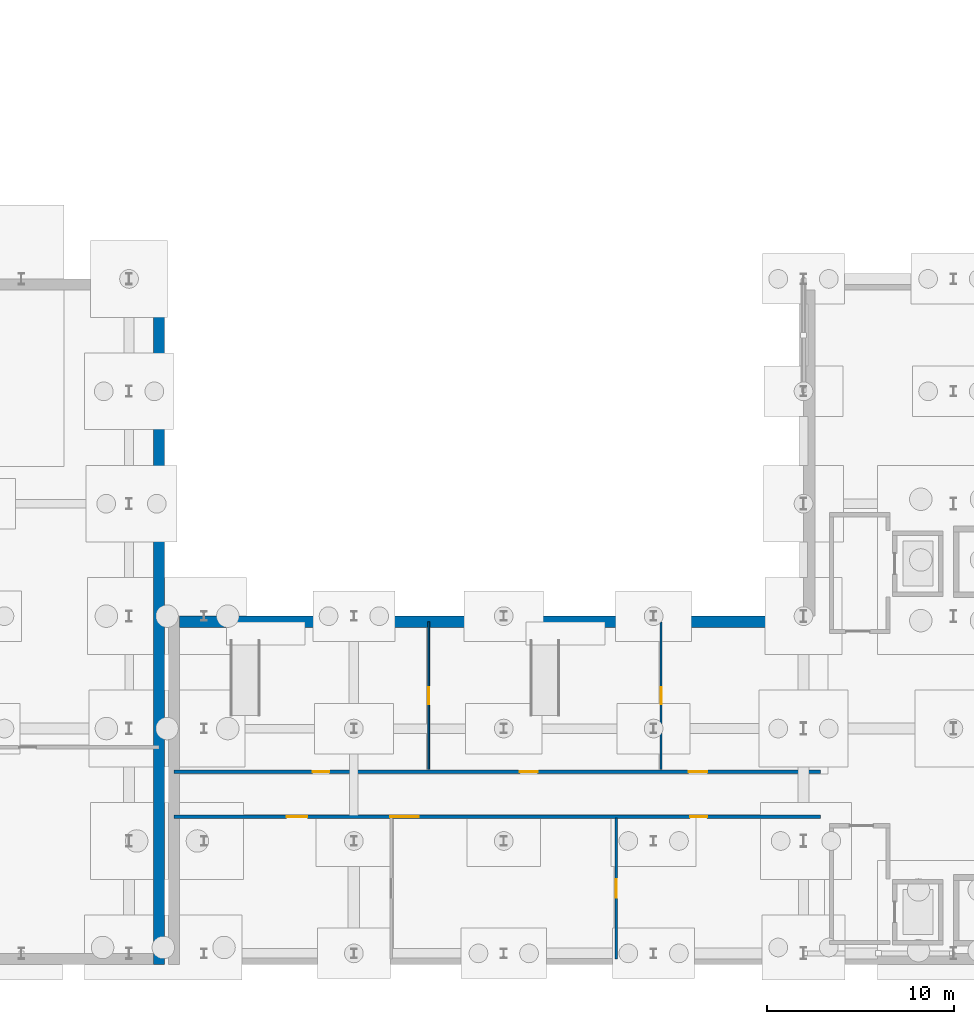
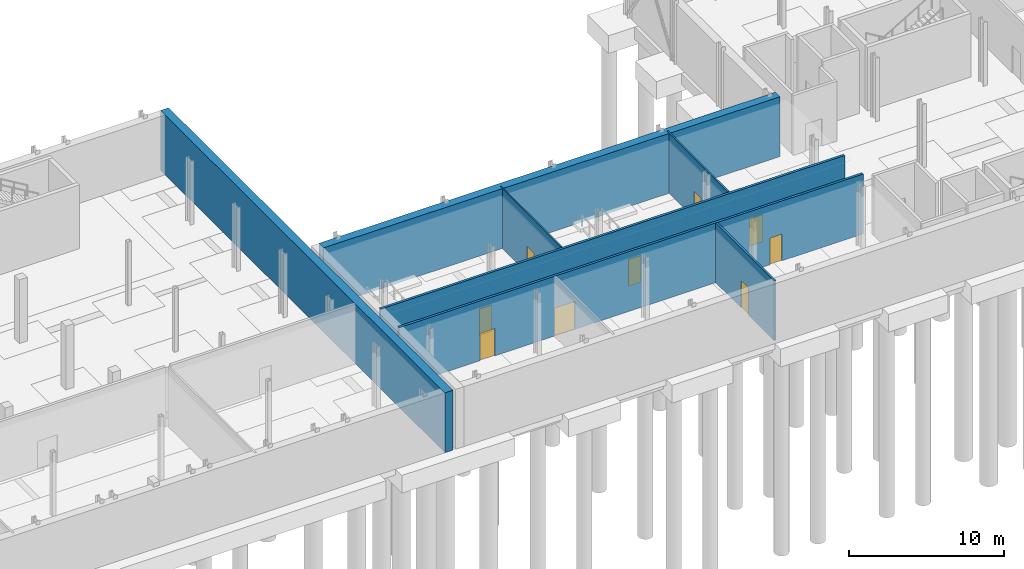
# One storey, part 26 of 47: 9 doors, 7 walls, 9 openings.
"""IFC4 building model written with IfcOpenShell, lengths in metres."""

from ifc_helpers import new_model, si_unit, direction, frame, frame_2d, origin, place, context, subcontext, project, spatial, rectangle, extrude, material, layer, layer_set, type_object, element, fill, save


model = new_model("IFC4")

# Units and contexts
model_context = context("Model", 3, precision=1e-05, world=origin(), true_north=direction((0.0, 1.0)))
body_context = subcontext(model_context, "Body", "Model", "MODEL_VIEW")
ifc_project = project(units=[si_unit("LENGTHUNIT", "METRE"), si_unit("AREAUNIT", "SQUARE_METRE"), si_unit("VOLUMEUNIT", "CUBIC_METRE"), si_unit("PLANEANGLEUNIT", "RADIAN"), si_unit("MASSUNIT", "GRAM", prefix="KILO")], contexts=[model_context])

# Site, building, storey
site_placement = place(None, origin())
site = spatial("IfcSite", under=ifc_project, at=site_placement, CompositionType="ELEMENT")
building_placement = place(site_placement, origin())
building = spatial("IfcBuilding", under=site, at=building_placement, Name="Cymarion Research Institute", CompositionType="ELEMENT")
storey_placement = place(building_placement, frame((0.0, 0.0, -5.0)))
storey = spatial("IfcBuildingStorey", under=building, at=storey_placement, Name="B1", CompositionType="ELEMENT", Elevation=-5.0)

# Walls
ifc_material_1 = material(Name="Concrete C35/45", Category="concrete")
ifc_layer_1 = layer(ifc_material_1, 0.60009765625)
ifc_layer_set_1 = layer_set([ifc_layer_1], Name="Concrete C35/45")
wall_type_1 = type_object("IfcWallType", Name="EXTERIOR WALL EW-RET600 600MM", PredefinedType="SHEAR", material=ifc_layer_set_1)
wall_1_placement = place(storey_placement, frame((139.181884765625, 23.199951171875, 0.0), z_axis=(0.0, 0.0, 1.0), x_axis=(-1.0, 0.0, 0.0)))
element("IfcWall", 1, at=wall_1_placement, inside=storey, type_object=wall_type_1, Name="B1 V1 exterior wall EW-RET600 #16", PredefinedType="SHEAR", context=body_context, shape_type="SweptSolid", body=[
    extrude(rectangle(XDim=33.89990234375, YDim=0.60009765625, at=frame_2d((16.949951171875, 0.0))), origin(), (0.0, 0.0, 1.0), 4.699951171875),
])
wall_2_placement = place(storey_placement, frame((104.199951171875, 4.89990234375, 0.0), z_axis=(0.0, 0.0, 1.0), x_axis=(0.0, 1.0, 0.0)))
element("IfcWall", 2, at=wall_2_placement, inside=storey, type_object=wall_type_1, Name="B1 V2 exterior wall EW-RET600 #19", PredefinedType="SHEAR", context=body_context, shape_type="SweptSolid", body=[
    extrude(rectangle(XDim=36.60009765625, YDim=0.60009765625, at=frame_2d((18.300048828125, 0.0))), origin(), (0.0, 0.0, 1.0), 4.699951171875),
])

# Wall, opening, door
ifc_material_2 = material(Name="Gypsum acoustic double-stud partition", Category="gypsum")
ifc_layer_2 = layer(ifc_material_2, 0.14990234375)
ifc_layer_set_2 = layer_set([ifc_layer_2], Name="Gypsum acoustic double-stud partition")
wall_type_2 = type_object("IfcWallType", Name="INTERIOR PARTITION IW-AC150 150MM", PredefinedType="PARTITIONING", material=ifc_layer_set_2)
wall_3_placement = place(storey_placement, frame((128.60009765625, 5.205078125, 0.0), z_axis=(0.0, 0.0, 1.0), x_axis=(0.0, 1.0, 0.0)))
wall_3 = element("IfcWall", 3, at=wall_3_placement, inside=storey, type_object=wall_type_2, Name="B1 V1 interior partition IW-AC150 #4", PredefinedType="PARTITIONING", context=body_context, shape_type="SweptSolid", body=[
    extrude(rectangle(XDim=7.514892578125, YDim=0.14990234375, at=frame_2d((3.75732421875, 0.0))), origin(), (0.0, 0.0, 1.0), 4.699951171875),
])
opening_1_placement = place(wall_3_placement, frame((3.258056640625, 0.0, 0.0)))
opening_1 = element("IfcOpeningElement", 4, at=opening_1_placement, cuts=wall_3, Name="Opening D-B1-008", PredefinedType="OPENING", context=body_context, shape_type="SweptSolid", body=[
    extrude(rectangle(XDim=1.0, YDim=2.14990234375, at=frame_2d((0.5, 1.074951171875))), frame((0.0, 0.0849609375, 0.0), z_axis=(0.0, -1.0, 0.0), x_axis=(1.0, 0.0, 0.0)), (0.0, 0.0, 1.0), 0.169921875),
])
ifc_material_3 = material(Name="Flush acoustic timber/steel door assembly", Category="steel")
door_type_1 = type_object("IfcDoorType", Name="LABORATORY SINGLE LEAF DOOR DT-LB100 1000X2150", OperationType="NOTDEFINED", PredefinedType="DOOR", material=ifc_material_3)
door_1_placement = place(opening_1_placement, origin())
door_1 = element("IfcDoor", 5, at=door_1_placement, inside=storey, type_object=door_type_1, Name="B1 Inter-lab door D-B1-008", OperationType="SINGLE_SWING_LEFT", OverallHeight=2.14990234375, OverallWidth=1.0, PredefinedType="DOOR", context=body_context, shape_type="SweptSolid", body=[
    extrude(rectangle(XDim=1.0, YDim=2.14990234375, at=frame_2d((0.5, 1.074951171875))), frame((0.0, 0.02490234375, 0.0), z_axis=(0.0, -1.0, 0.0), x_axis=(1.0, 0.0, 0.0)), (0.0, 0.0, 1.0), 0.050048828125),
])
fill(opening_1, door_1)

ifc_material_4 = material(Name="Framed acoustic glass laboratory screen", Category="glass")
ifc_layer_3 = layer(ifc_material_4, 0.10009765625)
ifc_layer_set_3 = layer_set([ifc_layer_3], Name="Framed acoustic glass laboratory screen")
wall_type_3 = type_object("IfcWallType", Name="INTERIOR PARTITION IW-GL100 100MM", PredefinedType="PARTITIONING", material=ifc_layer_set_3)
wall_4_placement = place(storey_placement, frame((118.60009765625, 15.320068359375, 0.0), z_axis=(0.0, 0.0, 1.0), x_axis=(0.0, 1.0, 0.0)))
wall_4 = element("IfcWall", 6, at=wall_4_placement, inside=storey, type_object=wall_type_3, Name="B1 V1 interior partition IW-GL100 #5", PredefinedType="PARTITIONING", context=body_context, shape_type="SweptSolid", body=[
    extrude(rectangle(XDim=7.875, YDim=0.10009765625, at=frame_2d((3.9375, 0.0))), origin(), (0.0, 0.0, 1.0), 4.699951171875),
])
opening_2_placement = place(wall_4_placement, frame((3.487060546875, 0.0, 0.0)))
opening_2 = element("IfcOpeningElement", 7, at=opening_2_placement, cuts=wall_4, Name="Opening D-B1-009", PredefinedType="OPENING", context=body_context, shape_type="SweptSolid", body=[
    extrude(rectangle(XDim=0.89990234375, YDim=2.10009765625, at=frame_2d((0.449951171875, 1.050048828125))), frame((0.0, 0.06005859375, 0.0), z_axis=(0.0, -1.0, 0.0), x_axis=(1.0, 0.0, 0.0)), (0.0, 0.0, 1.0), 0.1201171875),
])
door_type_2 = type_object("IfcDoorType", Name="RESEARCH WRITE-UP OFFICE DOOR DT-OF090 900X2100", OperationType="NOTDEFINED", PredefinedType="DOOR", material=ifc_material_3)
door_2_placement = place(opening_2_placement, origin())
door_2 = element("IfcDoor", 8, at=door_2_placement, inside=storey, type_object=door_type_2, Name="B1 Write-up door D-B1-009", OperationType="SINGLE_SWING_RIGHT", OverallHeight=2.10009765625, OverallWidth=0.89990234375, PredefinedType="DOOR", context=body_context, shape_type="SweptSolid", body=[
    extrude(rectangle(XDim=0.89990234375, YDim=2.10009765625, at=frame_2d((0.449951171875, 1.050048828125))), frame((0.0, 0.02490234375, 0.0), z_axis=(0.0, -1.0, 0.0), x_axis=(1.0, 0.0, 0.0)), (0.0, 0.0, 1.0), 0.050048828125),
])
fill(opening_2, door_2)

# Wall, openings, doors
ifc_material_5 = material(Name="Moisture-resistant laboratory partition", Category="gypsum")
ifc_layer_4 = layer(ifc_material_5, 0.179931640625)
ifc_layer_set_4 = layer_set([ifc_layer_4], Name="Moisture-resistant laboratory partition")
wall_type_4 = type_object("IfcWallType", Name="INTERIOR PARTITION IW-LB180 180MM", PredefinedType="PARTITIONING", material=ifc_layer_set_4)
wall_5_placement = place(storey_placement, frame((105.0048828125, 12.800048828125, 0.0), z_axis=(0.0, 0.0, 1.0), x_axis=(1.0, 0.0, 0.0)))
wall_5 = element("IfcWall", 9, at=wall_5_placement, inside=storey, type_object=wall_type_4, Name="B1 V1 interior partition IW-LB180 #1", PredefinedType="PARTITIONING", context=body_context, shape_type="SweptSolid", body=[
    extrude(rectangle(XDim=34.4951171875, YDim=0.179931640625, at=frame_2d((17.24755859375, 0.0))), origin(), (0.0, 0.0, 1.0), 4.699951171875),
])
opening_3_placement = place(wall_5_placement, frame((6.010986328125, 0.0, 0.0)))
opening_3 = element("IfcOpeningElement", 10, at=opening_3_placement, cuts=wall_5, Name="Opening D-B1-001", PredefinedType="OPENING", context=body_context, shape_type="SweptSolid", body=[
    extrude(rectangle(XDim=1.10009765625, YDim=2.14990234375, at=frame_2d((0.550048828125, 1.074951171875))), frame((0.0, 0.099853515625, 0.0), z_axis=(0.0, -1.0, 0.0), x_axis=(1.0, 0.0, 0.0)), (0.0, 0.0, 1.0), 0.199951171875),
])
opening_4_placement = place(wall_5_placement, frame((11.548095703125, 0.0, 0.0)))
opening_4 = element("IfcOpeningElement", 11, at=opening_4_placement, cuts=wall_5, Name="Opening D-B1-002", PredefinedType="OPENING", context=body_context, shape_type="SweptSolid", body=[
    extrude(rectangle(XDim=1.5, YDim=2.199951171875, at=frame_2d((0.75, 1.10009765625))), frame((0.0, 0.099853515625, 0.0), z_axis=(0.0, -1.0, 0.0), x_axis=(1.0, 0.0, 0.0)), (0.0, 0.0, 1.0), 0.199951171875),
])
opening_5_placement = place(wall_5_placement, frame((27.548095703125, 0.0, 0.0)))
opening_5 = element("IfcOpeningElement", 12, at=opening_5_placement, cuts=wall_5, Name="Opening D-B1-003", PredefinedType="OPENING", context=body_context, shape_type="SweptSolid", body=[
    extrude(rectangle(XDim=0.89990234375, YDim=2.10009765625, at=frame_2d((0.449951171875, 1.050048828125))), frame((0.0, 0.099853515625, 0.0), z_axis=(0.0, -1.0, 0.0), x_axis=(1.0, 0.0, 0.0)), (0.0, 0.0, 1.0), 0.199951171875),
])
door_type_3 = type_object("IfcDoorType", Name="ACCESSIBLE RESTROOM DOOR DT-WC090 900X2100", OperationType="NOTDEFINED", PredefinedType="DOOR", material=ifc_material_3)
door_3_placement = place(opening_5_placement, origin())
door_3 = element("IfcDoor", 13, at=door_3_placement, inside=storey, type_object=door_type_3, Name="B1 Restroom door D-B1-003", OperationType="SINGLE_SWING_RIGHT", OverallHeight=2.10009765625, OverallWidth=0.89990234375, PredefinedType="DOOR", context=body_context, shape_type="SweptSolid", body=[
    extrude(rectangle(XDim=0.89990234375, YDim=2.10009765625, at=frame_2d((0.449951171875, 1.050048828125))), frame((0.0, 0.02490234375, 0.0), z_axis=(0.0, -1.0, 0.0), x_axis=(1.0, 0.0, 0.0)), (0.0, 0.0, 1.0), 0.050048828125),
])
fill(opening_5, door_3)
door_type_4 = type_object("IfcDoorType", Name="LABORATORY EQUIPMENT DOUBLE DOOR DT-LB150 1500X2200", OperationType="DOUBLE_DOOR_SINGLE_SWING", PredefinedType="DOOR", material=ifc_material_3)
door_4_placement = place(opening_4_placement, origin())
door_4 = element("IfcDoor", 14, at=door_4_placement, inside=storey, type_object=door_type_4, Name="B1 Lab S2 door D-B1-002", OperationType="DOUBLE_DOOR_SINGLE_SWING", OverallHeight=2.199951171875, OverallWidth=1.5, PredefinedType="DOOR", context=body_context, shape_type="SweptSolid", body=[
    extrude(rectangle(XDim=1.5, YDim=2.199951171875, at=frame_2d((0.75, 1.10009765625))), frame((0.0, 0.02490234375, 0.0), z_axis=(0.0, -1.0, 0.0), x_axis=(1.0, 0.0, 0.0)), (0.0, 0.0, 1.0), 0.050048828125),
])
fill(opening_4, door_4)
door_type_5 = type_object("IfcDoorType", Name="LABORATORY WIDE SINGLE DOOR DT-LB110 1100X2150", OperationType="NOTDEFINED", PredefinedType="DOOR", material=ifc_material_3)
door_5_placement = place(opening_3_placement, origin())
door_5 = element("IfcDoor", 15, at=door_5_placement, inside=storey, type_object=door_type_5, Name="B1 Lab S1 door D-B1-001", OperationType="SINGLE_SWING_RIGHT", OverallHeight=2.14990234375, OverallWidth=1.10009765625, PredefinedType="DOOR", context=body_context, shape_type="SweptSolid", body=[
    extrude(rectangle(XDim=1.10009765625, YDim=2.14990234375, at=frame_2d((0.550048828125, 1.074951171875))), frame((0.0, 0.02490234375, 0.0), z_axis=(0.0, -1.0, 0.0), x_axis=(1.0, 0.0, 0.0)), (0.0, 0.0, 1.0), 0.050048828125),
])
fill(opening_3, door_5)

wall_6_placement = place(storey_placement, frame((105.0048828125, 15.199951171875, 0.0), z_axis=(0.0, 0.0, 1.0), x_axis=(1.0, 0.0, 0.0)))
wall_6 = element("IfcWall", 16, at=wall_6_placement, inside=storey, type_object=wall_type_4, Name="B1 V1 interior partition IW-LB180 #2", PredefinedType="PARTITIONING", context=body_context, shape_type="SweptSolid", body=[
    extrude(rectangle(XDim=34.4951171875, YDim=0.179931640625, at=frame_2d((17.24755859375, 0.0))), origin(), (0.0, 0.0, 1.0), 4.699951171875),
])
opening_6_placement = place(wall_6_placement, frame((7.39111328125, 0.0, 0.0)))
opening_6 = element("IfcOpeningElement", 17, at=opening_6_placement, cuts=wall_6, Name="Opening D-B1-004", PredefinedType="OPENING", context=body_context, shape_type="SweptSolid", body=[
    extrude(rectangle(XDim=0.89990234375, YDim=2.10009765625, at=frame_2d((0.449951171875, 1.050048828125))), frame((0.0, 0.099853515625, 0.0), z_axis=(0.0, -1.0, 0.0), x_axis=(1.0, 0.0, 0.0)), (0.0, 0.0, 1.0), 0.199951171875),
])
opening_7_placement = place(wall_6_placement, frame((18.449951171875, 0.0, 0.0)))
opening_7 = element("IfcOpeningElement", 18, at=opening_7_placement, cuts=wall_6, Name="Opening D-B1-005", PredefinedType="OPENING", context=body_context, shape_type="SweptSolid", body=[
    extrude(rectangle(XDim=0.949951171875, YDim=2.10009765625, at=frame_2d((0.47509765625, 1.050048828125))), frame((0.0, 0.099853515625, 0.0), z_axis=(0.0, -1.0, 0.0), x_axis=(1.0, 0.0, 0.0)), (0.0, 0.0, 1.0), 0.199951171875),
])
opening_8_placement = place(wall_6_placement, frame((27.466064453125, 0.0, 0.0)))
opening_8 = element("IfcOpeningElement", 19, at=opening_8_placement, cuts=wall_6, Name="Opening D-B1-006", PredefinedType="OPENING", context=body_context, shape_type="SweptSolid", body=[
    extrude(rectangle(XDim=1.0, YDim=2.14990234375, at=frame_2d((0.5, 1.074951171875))), frame((0.0, 0.099853515625, 0.0), z_axis=(0.0, -1.0, 0.0), x_axis=(1.0, 0.0, 0.0)), (0.0, 0.0, 1.0), 0.199951171875),
])
door_type_6 = type_object("IfcDoorType", Name="FACULTY STUDY DOOR DT-OF095 950X2100", OperationType="NOTDEFINED", PredefinedType="DOOR", material=ifc_material_3)
door_6_placement = place(opening_7_placement, origin())
door_6 = element("IfcDoor", 20, at=door_6_placement, inside=storey, type_object=door_type_6, Name="B1 Write-up 2 door D-B1-005", OperationType="SINGLE_SWING_RIGHT", OverallHeight=2.10009765625, OverallWidth=0.949951171875, PredefinedType="DOOR", context=body_context, shape_type="SweptSolid", body=[
    extrude(rectangle(XDim=0.949951171875, YDim=2.10009765625, at=frame_2d((0.47509765625, 1.050048828125))), frame((0.0, 0.02490234375, 0.0), z_axis=(0.0, -1.0, 0.0), x_axis=(1.0, 0.0, 0.0)), (0.0, 0.0, 1.0), 0.050048828125),
])
fill(opening_7, door_6)
door_7_placement = place(opening_8_placement, origin())
door_7 = element("IfcDoor", 21, at=door_7_placement, inside=storey, type_object=door_type_1, Name="B1 Prep Room door D-B1-006", OperationType="SINGLE_SWING_LEFT", OverallHeight=2.14990234375, OverallWidth=1.0, PredefinedType="DOOR", context=body_context, shape_type="SweptSolid", body=[
    extrude(rectangle(XDim=1.0, YDim=2.14990234375, at=frame_2d((0.5, 1.074951171875))), frame((0.0, 0.02490234375, 0.0), z_axis=(0.0, -1.0, 0.0), x_axis=(1.0, 0.0, 0.0)), (0.0, 0.0, 1.0), 0.050048828125),
])
fill(opening_8, door_7)
door_8_placement = place(opening_6_placement, origin())
door_8 = element("IfcDoor", 22, at=door_8_placement, inside=storey, type_object=door_type_2, Name="B1 Write-up 1 door D-B1-004", OperationType="SINGLE_SWING_LEFT", OverallHeight=2.10009765625, OverallWidth=0.89990234375, PredefinedType="DOOR", context=body_context, shape_type="SweptSolid", body=[
    extrude(rectangle(XDim=0.89990234375, YDim=2.10009765625, at=frame_2d((0.449951171875, 1.050048828125))), frame((0.0, 0.02490234375, 0.0), z_axis=(0.0, -1.0, 0.0), x_axis=(1.0, 0.0, 0.0)), (0.0, 0.0, 1.0), 0.050048828125),
])
fill(opening_6, door_8)

# Wall, opening, door
ifc_material_6 = material(Name="Service riser shaft wall", Category="gypsum")
ifc_layer_5 = layer(ifc_material_6, 0.1201171875)
ifc_layer_set_5 = layer_set([ifc_layer_5], Name="Service riser shaft wall")
wall_type_5 = type_object("IfcWallType", Name="INTERIOR PARTITION IW-SH120 120MM", PredefinedType="PARTITIONING", material=ifc_layer_set_5)
wall_7_placement = place(storey_placement, frame((131.0, 15.320068359375, 0.0), z_axis=(0.0, 0.0, 1.0), x_axis=(0.0, 1.0, 0.0)))
wall_7 = element("IfcWall", 23, at=wall_7_placement, inside=storey, type_object=wall_type_5, Name="B1 V1 interior partition IW-SH120 #6", PredefinedType="PARTITIONING", context=body_context, shape_type="SweptSolid", body=[
    extrude(rectangle(XDim=7.875, YDim=0.1201171875, at=frame_2d((3.9375, 0.0))), origin(), (0.0, 0.0, 1.0), 4.699951171875),
])
opening_9_placement = place(wall_7_placement, frame((3.487060546875, 0.0, 0.0)))
opening_9 = element("IfcOpeningElement", 24, at=opening_9_placement, cuts=wall_7, Name="Opening D-B1-010", PredefinedType="OPENING", context=body_context, shape_type="SweptSolid", body=[
    extrude(rectangle(XDim=0.89990234375, YDim=2.10009765625, at=frame_2d((0.449951171875, 1.050048828125))), frame((0.0, 0.070068359375, 0.0), z_axis=(0.0, -1.0, 0.0), x_axis=(1.0, 0.0, 0.0)), (0.0, 0.0, 1.0), 0.14013671875),
])
door_9_placement = place(opening_9_placement, origin())
door_9 = element("IfcDoor", 25, at=door_9_placement, inside=storey, type_object=door_type_2, Name="B1 Seminar door D-B1-010", OperationType="SINGLE_SWING_LEFT", OverallHeight=2.10009765625, OverallWidth=0.89990234375, PredefinedType="DOOR", context=body_context, shape_type="SweptSolid", body=[
    extrude(rectangle(XDim=0.89990234375, YDim=2.10009765625, at=frame_2d((0.449951171875, 1.050048828125))), frame((0.0, 0.02490234375, 0.0), z_axis=(0.0, -1.0, 0.0), x_axis=(1.0, 0.0, 0.0)), (0.0, 0.0, 1.0), 0.050048828125),
])
fill(opening_9, door_9)

save(model, "model.ifc")
